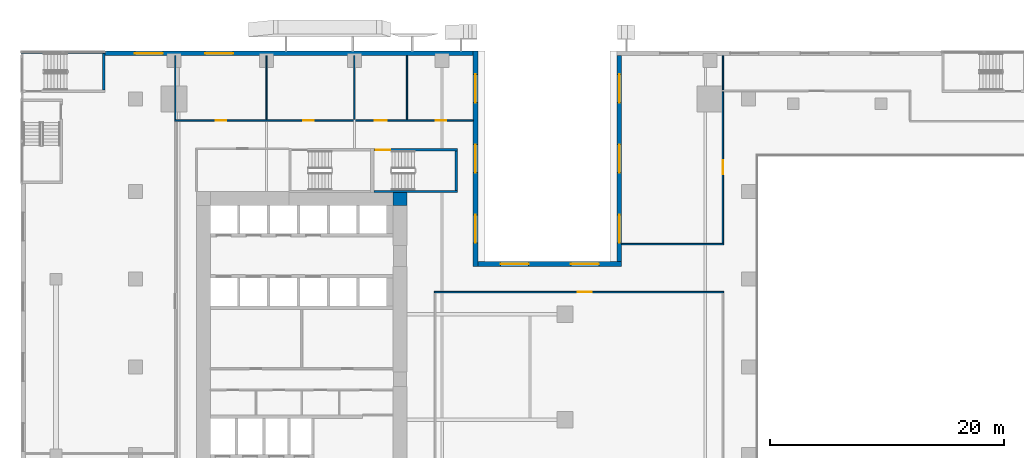
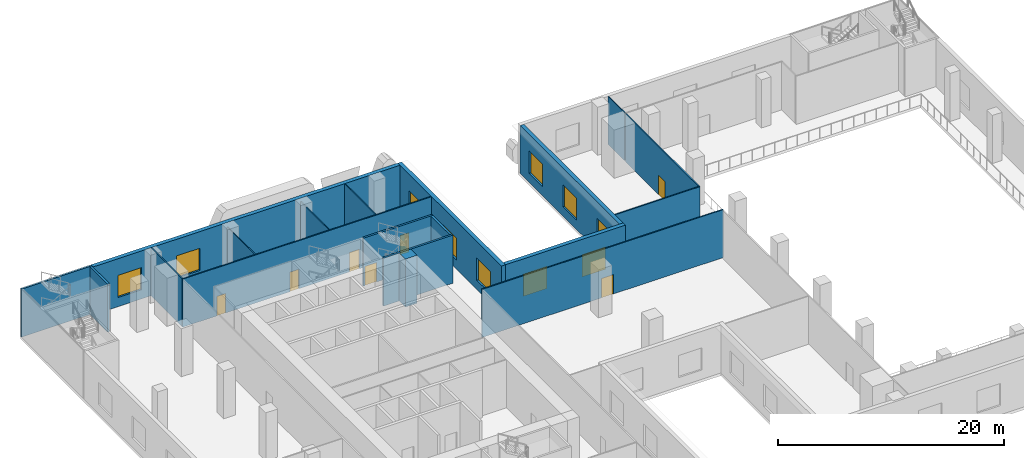
# One storey, part 13 of 23: 19 walls, 10 windows, 7 doors, 17 openings.
"""IFC4 building model written with IfcOpenShell, lengths in metres."""

from ifc_helpers import new_model, si_unit, direction, frame, frame_2d, origin, place, context, subcontext, project, spatial, rectangle, extrude, source, transform, mapped, material, layer, layer_set, type_object, element, fill, save


model = new_model("IFC4")

# Units and contexts
model_context = context("Model", 3, precision=1e-05, world=origin(), true_north=direction((0.0, 1.0)))
body_context = subcontext(model_context, "Body", "Model", "MODEL_VIEW")
ifc_project = project(units=[si_unit("LENGTHUNIT", "METRE"), si_unit("AREAUNIT", "SQUARE_METRE"), si_unit("VOLUMEUNIT", "CUBIC_METRE"), si_unit("PLANEANGLEUNIT", "RADIAN"), si_unit("MASSUNIT", "GRAM", prefix="KILO")], contexts=[model_context])

# Site, building, storey
site_placement = place(None, origin())
site = spatial("IfcSite", under=ifc_project, at=site_placement, CompositionType="ELEMENT")
building_placement = place(site_placement, origin())
building = spatial("IfcBuilding", under=site, at=building_placement, Name="Khomas Fold Tower", CompositionType="ELEMENT")
storey_placement = place(building_placement, frame((0.0, 0.0, 13.0)))
storey = spatial("IfcBuildingStorey", under=building, at=storey_placement, Name="L02", CompositionType="ELEMENT", Elevation=13.0)

# Wall
ifc_material_1 = material(Name="Concrete C70/85", Category="concrete")
ifc_layer_1 = layer(ifc_material_1, 1.10009765625)
ifc_layer_set_1 = layer_set([ifc_layer_1], Name="Concrete C70/85")
wall_type_1 = type_object("IfcWallType", Name="Core corner wall 1100", PredefinedType="SHEAR", material=ifc_layer_set_1)
shared_shape_1 = source(origin(), body_context, "Body", "SweptSolid", [
    extrude(rectangle(XDim=1.199951171875, YDim=1.10009765625, at=frame_2d((0.60009765625, 0.0))), origin(), (0.0, 0.0, 1.0), 5.199951171875),
])
wall_1_placement = place(storey_placement, frame((22.800048828125, 41.35009765625, 0.0), z_axis=(0.0, 0.0, 1.0), x_axis=(1.0, 0.0, 0.0)))
element("IfcWall", 1, at=wall_1_placement, inside=storey, type_object=wall_type_1, Name="Core wall CW-L-NE-B2", PredefinedType="SHEAR", context=body_context, shape_type="MappedRepresentation", body=[
    mapped(shared_shape_1, transform((0.0, 0.0, 0.0))),
])

# Wall, opening, door
ifc_material_2 = material(Name="Concrete C50/60", Category="concrete")
ifc_layer_2 = layer(ifc_material_2, 0.199951171875)
ifc_layer_set_2 = layer_set([ifc_layer_2], Name="Concrete C50/60")
wall_type_2 = type_object("IfcWallType", Name="Stair wall 200", PredefinedType="SHEAR", material=ifc_layer_set_2)
shared_shape_2 = source(origin(), body_context, "Body", "SweptSolid", [
    extrude(rectangle(XDim=7.10009765625, YDim=0.199951171875, at=frame_2d((3.550048828125, 0.0))), origin(), (0.0, 0.0, 1.0), 5.199951171875),
])
wall_2_placement = place(storey_placement, frame((21.199951171875, 45.550048828125, 0.0), z_axis=(0.0, 0.0, 1.0), x_axis=(1.0, 0.0, 0.0)))
wall_2 = element("IfcWall", 2, at=wall_2_placement, inside=storey, type_object=wall_type_2, Name="Stair wall SW-ST3-N", PredefinedType="SHEAR", context=body_context, shape_type="MappedRepresentation", body=[
    mapped(shared_shape_2, transform((0.0, 0.0, 0.0))),
])
shared_shape_3 = source(origin(), body_context, "Body", "SweptSolid", [
    extrude(rectangle(XDim=1.199951171875, YDim=2.10009765625, at=frame_2d((0.60009765625, 1.050048828125))), frame((0.0, 0.10986328125, 0.0), z_axis=(0.0, -1.0, 0.0), x_axis=(1.0, 0.0, 0.0)), (0.0, 0.0, 1.0), 0.219970703125),
])
opening_1_placement = place(wall_2_placement, frame((0.14990234375, 0.0, 0.0)))
opening_1 = element("IfcOpeningElement", 3, at=opening_1_placement, cuts=wall_2, Name="Opening SD-ST3", PredefinedType="OPENING", context=body_context, shape_type="MappedRepresentation", body=[
    mapped(shared_shape_3, transform((0.0, 0.0, 0.0))),
])
ifc_material_3 = material(Name="Steel door leaf", Category="steel")
door_type_1 = type_object("IfcDoorType", Name="Stair door 1200x2100 left-hand", OperationType="SINGLE_SWING_LEFT", PredefinedType="DOOR", material=ifc_material_3)
shared_shape_4 = source(origin(), body_context, "Body", "SweptSolid", [
    extrude(rectangle(XDim=1.199951171875, YDim=2.10009765625, at=frame_2d((0.60009765625, 1.050048828125))), frame((0.0, 0.02490234375, 0.0), z_axis=(0.0, -1.0, 0.0), x_axis=(1.0, 0.0, 0.0)), (0.0, 0.0, 1.0), 0.050048828125),
])
door_1_placement = place(opening_1_placement, origin())
door_1 = element("IfcDoor", 4, at=door_1_placement, inside=storey, type_object=door_type_1, Name="Stair door", OperationType="SINGLE_SWING_LEFT", OverallHeight=2.10009765625, OverallWidth=1.199951171875, PredefinedType="DOOR", context=body_context, shape_type="MappedRepresentation", body=[
    mapped(shared_shape_4, transform((0.0, 0.0, 0.0))),
])
fill(opening_1, door_1)

# Walls
wall_3_placement = place(storey_placement, frame((21.199951171875, 42.0, 0.0), z_axis=(0.0, 0.0, 1.0), x_axis=(1.0, 0.0, 0.0)))
element("IfcWall", 5, at=wall_3_placement, inside=storey, type_object=wall_type_2, Name="Stair wall SW-ST3-S", PredefinedType="SHEAR", context=body_context, shape_type="MappedRepresentation", body=[
    mapped(shared_shape_2, transform((0.0, 0.0, 0.0))),
])
shared_shape_5 = source(origin(), body_context, "Body", "SweptSolid", [
    extrude(rectangle(XDim=3.349853515625, YDim=0.199951171875, at=frame_2d((1.6748046875, 0.0))), origin(), (0.0, 0.0, 1.0), 5.199951171875),
])
wall_4_placement = place(storey_placement, frame((28.199951171875, 42.10009765625, 0.0), z_axis=(0.0, 0.0, 1.0), x_axis=(0.0, 1.0, 0.0)))
element("IfcWall", 6, at=wall_4_placement, inside=storey, type_object=wall_type_2, Name="Stair wall SW-ST3-E", PredefinedType="SHEAR", context=body_context, shape_type="MappedRepresentation", body=[
    mapped(shared_shape_5, transform((0.0, 0.0, 0.0))),
])

# Wall, openings, windows
ifc_material_4 = material(Name="Concrete C40/50", Category="concrete")
ifc_layer_3 = layer(ifc_material_4, 0.39990234375)
ifc_layer_set_3 = layer_set([ifc_layer_3], Name="Concrete C40/50")
wall_type_3 = type_object("IfcWallType", Name="Stone-clad concrete wall 400", PredefinedType="SOLIDWALL", material=ifc_layer_set_3)
shared_shape_6 = source(origin(), body_context, "Body", "SweptSolid", [
    extrude(rectangle(XDim=17.60009765625, YDim=0.39990234375, at=frame_2d((8.800048828125, 0.0))), origin(), (0.0, 0.0, 1.0), 5.199951171875),
])
wall_5_placement = place(storey_placement, frame((42.14990234375, 53.60009765625, 0.0), z_axis=(0.0, 0.0, 1.0), x_axis=(0.0, -1.0, 0.0)))
wall_5 = element("IfcWall", 7, at=wall_5_placement, inside=storey, type_object=wall_type_3, Name="Podium wall", PredefinedType="SOLIDWALL", context=body_context, shape_type="MappedRepresentation", body=[
    mapped(shared_shape_6, transform((0.0, 0.0, 0.0))),
])
shared_shape_7 = source(origin(), body_context, "Body", "SweptSolid", [
    extrude(rectangle(XDim=2.39990234375, YDim=2.39990234375, at=frame_2d((1.199951171875, 1.199951171875))), frame((0.0, 0.2099609375, 0.0), z_axis=(0.0, -1.0, 0.0), x_axis=(1.0, 0.0, 0.0)), (0.0, 0.0, 1.0), 0.419921875),
])
opening_2_placement = place(wall_5_placement, frame((1.60009765625, 0.0, 1.0)))
opening_2 = element("IfcOpeningElement", 8, at=opening_2_placement, cuts=wall_5, Name="Opening PD-WN", PredefinedType="OPENING", context=body_context, shape_type="MappedRepresentation", body=[
    mapped(shared_shape_7, transform((0.0, 0.0, 0.0))),
])
opening_3_placement = place(wall_5_placement, frame((7.60009765625, 0.0, 1.0)))
opening_3 = element("IfcOpeningElement", 9, at=opening_3_placement, cuts=wall_5, Name="Opening PD-WN", PredefinedType="OPENING", context=body_context, shape_type="MappedRepresentation", body=[
    mapped(shared_shape_7, transform((0.0, 0.0, 0.0))),
])
opening_4_placement = place(wall_5_placement, frame((13.60009765625, 0.0, 1.0)))
opening_4 = element("IfcOpeningElement", 10, at=opening_4_placement, cuts=wall_5, Name="Opening PD-WN", PredefinedType="OPENING", context=body_context, shape_type="MappedRepresentation", body=[
    mapped(shared_shape_7, transform((0.0, 0.0, 0.0))),
])
ifc_material_5 = material(Name="Aluminium framed double glazing", Category="aluminium")
window_type = type_object("IfcWindowType", Name="Podium window 2400 x 2400", PartitioningType="SINGLE_PANEL", PredefinedType="WINDOW", material=ifc_material_5)
shared_shape_8 = source(origin(), body_context, "Body", "SweptSolid", [
    extrude(rectangle(XDim=2.39990234375, YDim=2.39990234375, at=frame_2d((1.199951171875, 1.199951171875))), frame((0.0, 0.030029296875, 0.0), z_axis=(0.0, -1.0, 0.0), x_axis=(1.0, 0.0, 0.0)), (0.0, 0.0, 1.0), 0.06005859375),
])
window_1_placement = place(opening_2_placement, origin())
window_1 = element("IfcWindow", 11, at=window_1_placement, inside=storey, type_object=window_type, Name="Podium window", OverallHeight=2.39990234375, OverallWidth=2.39990234375, PartitioningType="SINGLE_PANEL", PredefinedType="WINDOW", context=body_context, shape_type="MappedRepresentation", body=[
    mapped(shared_shape_8, transform((0.0, 0.0, 0.0))),
])
fill(opening_2, window_1)
window_2_placement = place(opening_3_placement, origin())
window_2 = element("IfcWindow", 12, at=window_2_placement, inside=storey, type_object=window_type, Name="Podium window", OverallHeight=2.39990234375, OverallWidth=2.39990234375, PartitioningType="SINGLE_PANEL", PredefinedType="WINDOW", context=body_context, shape_type="MappedRepresentation", body=[
    mapped(shared_shape_8, transform((0.0, 0.0, 0.0))),
])
fill(opening_3, window_2)
window_3_placement = place(opening_4_placement, origin())
window_3 = element("IfcWindow", 13, at=window_3_placement, inside=storey, type_object=window_type, Name="Podium window", OverallHeight=2.39990234375, OverallWidth=2.39990234375, PartitioningType="SINGLE_PANEL", PredefinedType="WINDOW", context=body_context, shape_type="MappedRepresentation", body=[
    mapped(shared_shape_8, transform((0.0, 0.0, 0.0))),
])
fill(opening_4, window_3)

shared_shape_9 = source(origin(), body_context, "Body", "SweptSolid", [
    extrude(rectangle(XDim=18.39990234375, YDim=0.39990234375, at=frame_2d((9.199951171875, 0.0))), origin(), (0.0, 0.0, 1.0), 5.199951171875),
])
wall_6_placement = place(storey_placement, frame((29.85009765625, 35.60009765625, 0.0), z_axis=(0.0, 0.0, 1.0), x_axis=(0.0, 1.0, 0.0)))
wall_6 = element("IfcWall", 14, at=wall_6_placement, inside=storey, type_object=wall_type_3, Name="Podium wall", PredefinedType="SOLIDWALL", context=body_context, shape_type="MappedRepresentation", body=[
    mapped(shared_shape_9, transform((0.0, 0.0, 0.0))),
])
opening_5_placement = place(wall_6_placement, frame((2.0, 0.0, 1.0)))
opening_5 = element("IfcOpeningElement", 15, at=opening_5_placement, cuts=wall_6, Name="Opening PD-WN", PredefinedType="OPENING", context=body_context, shape_type="MappedRepresentation", body=[
    mapped(shared_shape_7, transform((0.0, 0.0, 0.0))),
])
opening_6_placement = place(wall_6_placement, frame((8.0, 0.0, 1.0)))
opening_6 = element("IfcOpeningElement", 16, at=opening_6_placement, cuts=wall_6, Name="Opening PD-WN", PredefinedType="OPENING", context=body_context, shape_type="MappedRepresentation", body=[
    mapped(shared_shape_7, transform((0.0, 0.0, 0.0))),
])
opening_7_placement = place(wall_6_placement, frame((14.0, 0.0, 1.0)))
opening_7 = element("IfcOpeningElement", 17, at=opening_7_placement, cuts=wall_6, Name="Opening PD-WN", PredefinedType="OPENING", context=body_context, shape_type="MappedRepresentation", body=[
    mapped(shared_shape_7, transform((0.0, 0.0, 0.0))),
])
window_4_placement = place(opening_5_placement, origin())
window_4 = element("IfcWindow", 18, at=window_4_placement, inside=storey, type_object=window_type, Name="Podium window", OverallHeight=2.39990234375, OverallWidth=2.39990234375, PartitioningType="SINGLE_PANEL", PredefinedType="WINDOW", context=body_context, shape_type="MappedRepresentation", body=[
    mapped(shared_shape_8, transform((0.0, 0.0, 0.0))),
])
fill(opening_5, window_4)
window_5_placement = place(opening_6_placement, origin())
window_5 = element("IfcWindow", 19, at=window_5_placement, inside=storey, type_object=window_type, Name="Podium window", OverallHeight=2.39990234375, OverallWidth=2.39990234375, PartitioningType="SINGLE_PANEL", PredefinedType="WINDOW", context=body_context, shape_type="MappedRepresentation", body=[
    mapped(shared_shape_8, transform((0.0, 0.0, 0.0))),
])
fill(opening_6, window_5)
window_6_placement = place(opening_7_placement, origin())
window_6 = element("IfcWindow", 20, at=window_6_placement, inside=storey, type_object=window_type, Name="Podium window", OverallHeight=2.39990234375, OverallWidth=2.39990234375, PartitioningType="SINGLE_PANEL", PredefinedType="WINDOW", context=body_context, shape_type="MappedRepresentation", body=[
    mapped(shared_shape_8, transform((0.0, 0.0, 0.0))),
])
fill(opening_7, window_6)

shared_shape_10 = source(origin(), body_context, "Body", "SweptSolid", [
    extrude(rectangle(XDim=12.300048828125, YDim=0.39990234375, at=frame_2d((6.14990234375, 0.0))), origin(), (0.0, 0.0, 1.0), 5.199951171875),
])
wall_7_placement = place(storey_placement, frame((42.35009765625, 35.800048828125, 0.0), z_axis=(0.0, 0.0, 1.0), x_axis=(-1.0, 0.0, 0.0)))
wall_7 = element("IfcWall", 21, at=wall_7_placement, inside=storey, type_object=wall_type_3, Name="Podium wall", PredefinedType="SOLIDWALL", context=body_context, shape_type="MappedRepresentation", body=[
    mapped(shared_shape_10, transform((0.0, 0.0, 0.0))),
])
opening_8_placement = place(wall_7_placement, frame((1.949951171875, 0.0, 1.0)))
opening_8 = element("IfcOpeningElement", 22, at=opening_8_placement, cuts=wall_7, Name="Opening PD-WN", PredefinedType="OPENING", context=body_context, shape_type="MappedRepresentation", body=[
    mapped(shared_shape_7, transform((0.0, 0.0, 0.0))),
])
opening_9_placement = place(wall_7_placement, frame((7.949951171875, 0.0, 1.0)))
opening_9 = element("IfcOpeningElement", 23, at=opening_9_placement, cuts=wall_7, Name="Opening PD-WN", PredefinedType="OPENING", context=body_context, shape_type="MappedRepresentation", body=[
    mapped(shared_shape_7, transform((0.0, 0.0, 0.0))),
])
window_7_placement = place(opening_8_placement, origin())
window_7 = element("IfcWindow", 24, at=window_7_placement, inside=storey, type_object=window_type, Name="Podium window", OverallHeight=2.39990234375, OverallWidth=2.39990234375, PartitioningType="SINGLE_PANEL", PredefinedType="WINDOW", context=body_context, shape_type="MappedRepresentation", body=[
    mapped(shared_shape_8, transform((0.0, 0.0, 0.0))),
])
fill(opening_8, window_7)
window_8_placement = place(opening_9_placement, origin())
window_8 = element("IfcWindow", 25, at=window_8_placement, inside=storey, type_object=window_type, Name="Podium window", OverallHeight=2.39990234375, OverallWidth=2.39990234375, PartitioningType="SINGLE_PANEL", PredefinedType="WINDOW", context=body_context, shape_type="MappedRepresentation", body=[
    mapped(shared_shape_8, transform((0.0, 0.0, 0.0))),
])
fill(opening_9, window_8)

shared_shape_11 = source(origin(), body_context, "Body", "SweptSolid", [
    extrude(rectangle(XDim=31.43994140625, YDim=0.39990234375, at=frame_2d((15.719970703125, 0.0))), origin(), (0.0, 0.0, 1.0), 5.199951171875),
])
wall_8_placement = place(storey_placement, frame((29.64990234375, 53.800048828125, 0.0), z_axis=(0.0, 0.0, 1.0), x_axis=(-1.0, 0.0, 0.0)))
wall_8 = element("IfcWall", 26, at=wall_8_placement, inside=storey, type_object=wall_type_3, Name="Podium wall", PredefinedType="SOLIDWALL", context=body_context, shape_type="MappedRepresentation", body=[
    mapped(shared_shape_11, transform((0.0, 0.0, 0.0))),
])
opening_10_placement = place(wall_8_placement, frame((20.5, 0.0, 1.0)))
opening_10 = element("IfcOpeningElement", 27, at=opening_10_placement, cuts=wall_8, Name="Opening PD-WN", PredefinedType="OPENING", context=body_context, shape_type="MappedRepresentation", body=[
    mapped(shared_shape_7, transform((0.0, 0.0, 0.0))),
])
opening_11_placement = place(wall_8_placement, frame((26.5, 0.0, 1.0)))
opening_11 = element("IfcOpeningElement", 28, at=opening_11_placement, cuts=wall_8, Name="Opening PD-WN", PredefinedType="OPENING", context=body_context, shape_type="MappedRepresentation", body=[
    mapped(shared_shape_7, transform((0.0, 0.0, 0.0))),
])
window_9_placement = place(opening_10_placement, origin())
window_9 = element("IfcWindow", 29, at=window_9_placement, inside=storey, type_object=window_type, Name="Podium window", OverallHeight=2.39990234375, OverallWidth=2.39990234375, PartitioningType="SINGLE_PANEL", PredefinedType="WINDOW", context=body_context, shape_type="MappedRepresentation", body=[
    mapped(shared_shape_8, transform((0.0, 0.0, 0.0))),
])
fill(opening_10, window_9)
window_10_placement = place(opening_11_placement, origin())
window_10 = element("IfcWindow", 30, at=window_10_placement, inside=storey, type_object=window_type, Name="Podium window", OverallHeight=2.39990234375, OverallWidth=2.39990234375, PartitioningType="SINGLE_PANEL", PredefinedType="WINDOW", context=body_context, shape_type="MappedRepresentation", body=[
    mapped(shared_shape_8, transform((0.0, 0.0, 0.0))),
])
fill(opening_11, window_10)

# Walls
ifc_material_6 = material(Name="Concrete C30/37", Category="concrete")
ifc_layer_4 = layer(ifc_material_6, 0.199951171875)
ifc_layer_set_4 = layer_set([ifc_layer_4], Name="Concrete C30/37")
wall_type_4 = type_object("IfcWallType", Name="Stair wall PW5 200", PredefinedType="PARTITIONING", material=ifc_layer_set_4)
shared_shape_12 = source(origin(), body_context, "Body", "SweptSolid", [
    extrude(rectangle(XDim=7.199951171875, YDim=0.199951171875, at=frame_2d((3.60009765625, 0.0))), origin(), (0.0, 0.0, 1.0), 5.199951171875),
])
wall_9_placement = place(storey_placement, frame((-9.0, 53.89990234375, 0.0), z_axis=(0.0, 0.0, 1.0), x_axis=(1.0, 0.0, 0.0)))
element("IfcWall", 31, at=wall_9_placement, inside=storey, type_object=wall_type_4, Name="Stair wall", PredefinedType="PARTITIONING", context=body_context, shape_type="MappedRepresentation", body=[
    mapped(shared_shape_12, transform((0.0, 0.0, 0.0))),
])
shared_shape_13 = source(origin(), body_context, "Body", "SweptSolid", [
    extrude(rectangle(XDim=3.150146484375, YDim=0.199951171875, at=frame_2d((1.5751953125, 0.0))), origin(), (0.0, 0.0, 1.0), 5.199951171875),
])
wall_10_placement = place(storey_placement, frame((-1.89990234375, 50.64990234375, 0.0), z_axis=(0.0, 0.0, 1.0), x_axis=(0.0, 1.0, 0.0)))
element("IfcWall", 32, at=wall_10_placement, inside=storey, type_object=wall_type_4, Name="Stair wall", PredefinedType="PARTITIONING", context=body_context, shape_type="MappedRepresentation", body=[
    mapped(shared_shape_13, transform((0.0, 0.0, 0.0))),
])

# Wall, opening, door
ifc_material_7 = material(Name="Plasterboard partition")
ifc_layer_5 = layer(ifc_material_7, 0.125)
ifc_layer_set_5 = layer_set([ifc_layer_5], Name="Plasterboard partition")
wall_type_5 = type_object("IfcWallType", Name="Partition PW2 125", PredefinedType="PARTITIONING", material=ifc_layer_set_5)
shared_shape_14 = source(origin(), body_context, "Body", "SweptSolid", [
    extrude(rectangle(XDim=24.699951171875, YDim=0.125, at=frame_2d((12.35009765625, 0.0))), origin(), (0.0, 0.0, 1.0), 5.199951171875),
])
wall_11_placement = place(storey_placement, frame((26.35009765625, 33.39990234375, 0.0), z_axis=(0.0, 0.0, 1.0), x_axis=(1.0, 0.0, 0.0)))
wall_11 = element("IfcWall", 33, at=wall_11_placement, inside=storey, type_object=wall_type_5, Name="Partition", PredefinedType="PARTITIONING", context=body_context, shape_type="MappedRepresentation", body=[
    mapped(shared_shape_14, transform((0.0, 0.0, 0.0))),
])
shared_shape_15 = source(origin(), body_context, "Body", "SweptSolid", [
    extrude(rectangle(XDim=1.199951171875, YDim=2.10009765625, at=frame_2d((0.60009765625, 1.050048828125))), frame((0.0, 0.072509765625, 0.0), z_axis=(0.0, -1.0, 0.0), x_axis=(1.0, 0.0, 0.0)), (0.0, 0.0, 1.0), 0.14501953125),
])
opening_12_placement = place(wall_11_placement, frame((12.25, 0.0, 0.0)))
opening_12 = element("IfcOpeningElement", 34, at=opening_12_placement, cuts=wall_11, Name="Opening 0001", PredefinedType="OPENING", context=body_context, shape_type="MappedRepresentation", body=[
    mapped(shared_shape_15, transform((0.0, 0.0, 0.0))),
])
ifc_material_8 = material(Name="Timber door leaf", Category="wood")
door_type_2 = type_object("IfcDoorType", Name="Door 1200x2100 right-hand", OperationType="SINGLE_SWING_RIGHT", PredefinedType="DOOR", material=ifc_material_8)
door_2_placement = place(opening_12_placement, origin())
door_2 = element("IfcDoor", 35, at=door_2_placement, inside=storey, type_object=door_type_2, Name="Door", OperationType="SINGLE_SWING_RIGHT", OverallHeight=2.10009765625, OverallWidth=1.199951171875, PredefinedType="DOOR", context=body_context, shape_type="MappedRepresentation", body=[
    mapped(shared_shape_4, transform((0.0, 0.0, 0.0))),
])
fill(opening_12, door_2)

shared_shape_16 = source(origin(), body_context, "Body", "SweptSolid", [
    extrude(rectangle(XDim=12.89990234375, YDim=0.125, at=frame_2d((6.449951171875, 0.0))), origin(), (0.0, 0.0, 1.0), 5.199951171875),
])
wall_12_placement = place(storey_placement, frame((51.0, 37.60009765625, 0.0), z_axis=(0.0, 0.0, 1.0), x_axis=(0.0, 1.0, 0.0)))
wall_12 = element("IfcWall", 36, at=wall_12_placement, inside=storey, type_object=wall_type_5, Name="Partition", PredefinedType="PARTITIONING", context=body_context, shape_type="MappedRepresentation", body=[
    mapped(shared_shape_16, transform((0.0, 0.0, 0.0))),
])
opening_13_placement = place(wall_12_placement, frame((5.85009765625, 0.0, 0.0)))
opening_13 = element("IfcOpeningElement", 37, at=opening_13_placement, cuts=wall_12, Name="Opening 0013", PredefinedType="OPENING", context=body_context, shape_type="MappedRepresentation", body=[
    mapped(shared_shape_15, transform((0.0, 0.0, 0.0))),
])
ifc_material_9 = material(Name="Timber door leaf", Category="wood")
door_type_3 = type_object("IfcDoorType", Name="Door 1200x2100 left-hand", OperationType="SINGLE_SWING_LEFT", PredefinedType="DOOR", material=ifc_material_9)
door_3_placement = place(opening_13_placement, origin())
door_3 = element("IfcDoor", 38, at=door_3_placement, inside=storey, type_object=door_type_3, Name="Door", OperationType="SINGLE_SWING_LEFT", OverallHeight=2.10009765625, OverallWidth=1.199951171875, PredefinedType="DOOR", context=body_context, shape_type="MappedRepresentation", body=[
    mapped(shared_shape_4, transform((0.0, 0.0, 0.0))),
])
fill(opening_13, door_3)

# Walls
ifc_material_10 = material(Name="Plasterboard partition")
ifc_layer_6 = layer(ifc_material_10, 0.10009765625)
ifc_layer_set_6 = layer_set([ifc_layer_6], Name="Plasterboard partition")
wall_type_6 = type_object("IfcWallType", Name="Partition PW1 100", PredefinedType="PARTITIONING", material=ifc_layer_set_6)
shared_shape_17 = source(origin(), body_context, "Body", "SweptSolid", [
    extrude(rectangle(XDim=5.4501953125, YDim=0.10009765625, at=frame_2d((2.72509765625, 0.0))), origin(), (0.0, 0.0, 1.0), 5.199951171875),
])
for number, where, z_axis, x_axis, name in (
    (39, (4.199951171875, 48.14990234375, 0.0), (0.0, 0.0, 1.0), (0.0, 1.0, 0.0), "Partition"),
    (40, (24.0, 48.14990234375, 0.0), (0.0, 0.0, 1.0), (0.0, 1.0, 0.0), "Partition"),
):
    element("IfcWall", number, at=place(storey_placement, frame(where, z_axis=z_axis, x_axis=x_axis)), inside=storey, type_object=wall_type_6, Name=name, PredefinedType="PARTITIONING", context=body_context, shape_type="MappedRepresentation", body=[
        mapped(shared_shape_17, transform((0.0, 0.0, 0.0))),
    ])
shared_shape_18 = source(origin(), body_context, "Body", "SweptSolid", [
    extrude(rectangle(XDim=5.4501953125, YDim=0.10009765625, at=frame_2d((2.72509765625, 0.0))), origin(), (0.0, 0.0, 1.0), 4.699951171875),
])
wall_13_placement = place(storey_placement, frame((12.0, 48.14990234375, 0.0), z_axis=(0.0, 0.0, 1.0), x_axis=(0.0, 1.0, 0.0)))
element("IfcWall", 41, at=wall_13_placement, inside=storey, type_object=wall_type_6, Name="Partition", PredefinedType="PARTITIONING", context=body_context, shape_type="MappedRepresentation", body=[
    mapped(shared_shape_18, transform((0.0, 0.0, 0.0))),
])
shared_shape_19 = source(origin(), body_context, "Body", "SweptSolid", [
    extrude(rectangle(XDim=2.900146484375, YDim=0.10009765625, at=frame_2d((1.4501953125, 0.0))), origin(), (0.0, 0.0, 1.0), 5.199951171875),
])
wall_14_placement = place(storey_placement, frame((51.0, 50.699951171875, 0.0), z_axis=(0.0, 0.0, 1.0), x_axis=(0.0, 1.0, 0.0)))
element("IfcWall", 42, at=wall_14_placement, inside=storey, type_object=wall_type_6, Name="Partition", PredefinedType="PARTITIONING", context=body_context, shape_type="MappedRepresentation", body=[
    mapped(shared_shape_19, transform((0.0, 0.0, 0.0))),
])
shared_shape_20 = source(origin(), body_context, "Body", "SweptSolid", [
    extrude(rectangle(XDim=8.699951171875, YDim=0.125, at=frame_2d((4.35009765625, 0.0))), origin(), (0.0, 0.0, 1.0), 5.199951171875),
])
wall_15_placement = place(storey_placement, frame((42.35009765625, 37.5, 0.0), z_axis=(0.0, 0.0, 1.0), x_axis=(1.0, 0.0, 0.0)))
element("IfcWall", 43, at=wall_15_placement, inside=storey, type_object=wall_type_5, Name="Partition", PredefinedType="PARTITIONING", context=body_context, shape_type="MappedRepresentation", body=[
    mapped(shared_shape_20, transform((0.0, 0.0, 0.0))),
])

# Wall, openings, doors
shared_shape_21 = source(origin(), body_context, "Body", "SweptSolid", [
    extrude(rectangle(XDim=25.5, YDim=0.125, at=frame_2d((12.75, 0.0))), origin(), (0.0, 0.0, 1.0), 5.199951171875),
])
wall_16_placement = place(storey_placement, frame((4.14990234375, 48.050048828125, 0.0), z_axis=(0.0, 0.0, 1.0), x_axis=(1.0, 0.0, 0.0)))
wall_16 = element("IfcWall", 44, at=wall_16_placement, inside=storey, type_object=wall_type_5, Name="Partition", PredefinedType="PARTITIONING", context=body_context, shape_type="MappedRepresentation", body=[
    mapped(shared_shape_21, transform((0.0, 0.0, 0.0))),
])
shared_shape_22 = source(origin(), body_context, "Body", "SweptSolid", [
    extrude(rectangle(XDim=0.89990234375, YDim=2.10009765625, at=frame_2d((0.449951171875, 1.050048828125))), frame((0.0, 0.072509765625, 0.0), z_axis=(0.0, -1.0, 0.0), x_axis=(1.0, 0.0, 0.0)), (0.0, 0.0, 1.0), 0.14501953125),
])
opening_14_placement = place(wall_16_placement, frame((3.5, 0.0, 0.0)))
opening_14 = element("IfcOpeningElement", 45, at=opening_14_placement, cuts=wall_16, Name="Opening 0008", PredefinedType="OPENING", context=body_context, shape_type="MappedRepresentation", body=[
    mapped(shared_shape_22, transform((0.0, 0.0, 0.0))),
])
opening_15_placement = place(wall_16_placement, frame((11.0, 0.0, 0.0)))
opening_15 = element("IfcOpeningElement", 46, at=opening_15_placement, cuts=wall_16, Name="Opening 0004", PredefinedType="OPENING", context=body_context, shape_type="MappedRepresentation", body=[
    mapped(shared_shape_22, transform((0.0, 0.0, 0.0))),
])
shared_shape_23 = source(origin(), body_context, "Body", "SweptSolid", [
    extrude(rectangle(XDim=1.0, YDim=2.10009765625, at=frame_2d((0.5, 1.050048828125))), frame((0.0, 0.072509765625, 0.0), z_axis=(0.0, -1.0, 0.0), x_axis=(1.0, 0.0, 0.0)), (0.0, 0.0, 1.0), 0.14501953125),
])
opening_16_placement = place(wall_16_placement, frame((17.10009765625, 0.0, 0.0)))
opening_16 = element("IfcOpeningElement", 47, at=opening_16_placement, cuts=wall_16, Name="Opening 0006", PredefinedType="OPENING", context=body_context, shape_type="MappedRepresentation", body=[
    mapped(shared_shape_23, transform((0.0, 0.0, 0.0))),
])
opening_17_placement = place(wall_16_placement, frame((22.300048828125, 0.0, 0.0)))
opening_17 = element("IfcOpeningElement", 48, at=opening_17_placement, cuts=wall_16, Name="Opening 0008", PredefinedType="OPENING", context=body_context, shape_type="MappedRepresentation", body=[
    mapped(shared_shape_22, transform((0.0, 0.0, 0.0))),
])
ifc_material_11 = material(Name="Timber door leaf", Category="wood")
door_type_4 = type_object("IfcDoorType", Name="Door 900x2100 right-hand", OperationType="SINGLE_SWING_RIGHT", PredefinedType="DOOR", material=ifc_material_11)
shared_shape_24 = source(origin(), body_context, "Body", "SweptSolid", [
    extrude(rectangle(XDim=0.89990234375, YDim=2.10009765625, at=frame_2d((0.449951171875, 1.050048828125))), frame((0.0, 0.02490234375, 0.0), z_axis=(0.0, -1.0, 0.0), x_axis=(1.0, 0.0, 0.0)), (0.0, 0.0, 1.0), 0.050048828125),
])
door_4_placement = place(opening_14_placement, origin())
door_4 = element("IfcDoor", 49, at=door_4_placement, inside=storey, type_object=door_type_4, Name="Door", OperationType="SINGLE_SWING_RIGHT", OverallHeight=2.10009765625, OverallWidth=0.89990234375, PredefinedType="DOOR", context=body_context, shape_type="MappedRepresentation", body=[
    mapped(shared_shape_24, transform((0.0, 0.0, 0.0))),
])
fill(opening_14, door_4)
ifc_material_12 = material(Name="Timber door leaf", Category="wood")
door_type_5 = type_object("IfcDoorType", Name="WC door 900x2100 right-hand", OperationType="SINGLE_SWING_RIGHT", PredefinedType="DOOR", material=ifc_material_12)
door_5_placement = place(opening_15_placement, origin())
door_5 = element("IfcDoor", 50, at=door_5_placement, inside=storey, type_object=door_type_5, Name="WC door", OperationType="SINGLE_SWING_RIGHT", OverallHeight=2.10009765625, OverallWidth=0.89990234375, PredefinedType="DOOR", context=body_context, shape_type="MappedRepresentation", body=[
    mapped(shared_shape_24, transform((0.0, 0.0, 0.0))),
])
fill(opening_15, door_5)
door_6_placement = place(opening_17_placement, origin())
door_6 = element("IfcDoor", 51, at=door_6_placement, inside=storey, type_object=door_type_4, Name="Door", OperationType="SINGLE_SWING_RIGHT", OverallHeight=2.10009765625, OverallWidth=0.89990234375, PredefinedType="DOOR", context=body_context, shape_type="MappedRepresentation", body=[
    mapped(shared_shape_24, transform((0.0, 0.0, 0.0))),
])
fill(opening_17, door_6)
ifc_material_13 = material(Name="Timber door leaf", Category="wood")
door_type_6 = type_object("IfcDoorType", Name="WC door 1000x2100 right-hand", OperationType="SINGLE_SWING_RIGHT", PredefinedType="DOOR", material=ifc_material_13)
shared_shape_25 = source(origin(), body_context, "Body", "SweptSolid", [
    extrude(rectangle(XDim=1.0, YDim=2.10009765625, at=frame_2d((0.5, 1.050048828125))), frame((0.0, 0.02490234375, 0.0), z_axis=(0.0, -1.0, 0.0), x_axis=(1.0, 0.0, 0.0)), (0.0, 0.0, 1.0), 0.050048828125),
])
door_7_placement = place(opening_16_placement, origin())
door_7 = element("IfcDoor", 52, at=door_7_placement, inside=storey, type_object=door_type_6, Name="WC door", OperationType="SINGLE_SWING_RIGHT", OverallHeight=2.10009765625, OverallWidth=1.0, PredefinedType="DOOR", context=body_context, shape_type="MappedRepresentation", body=[
    mapped(shared_shape_25, transform((0.0, 0.0, 0.0))),
])
fill(opening_16, door_7)

# Wall
shared_shape_26 = source(origin(), body_context, "Body", "SweptSolid", [
    extrude(rectangle(XDim=5.4501953125, YDim=0.10009765625, at=frame_2d((2.72509765625, 0.0))), origin(), (0.0, 0.0, 1.0), 4.840087890625),
])
wall_17_placement = place(storey_placement, frame((19.5, 48.14990234375, 0.0), z_axis=(0.0, 0.0, 1.0), x_axis=(0.0, 1.0, 0.0)))
element("IfcWall", 53, at=wall_17_placement, inside=storey, type_object=wall_type_6, Name="Partition", PredefinedType="PARTITIONING", context=body_context, shape_type="MappedRepresentation", body=[
    mapped(shared_shape_26, transform((0.0, 0.0, 0.0))),
])

save(model, "model.ifc")
